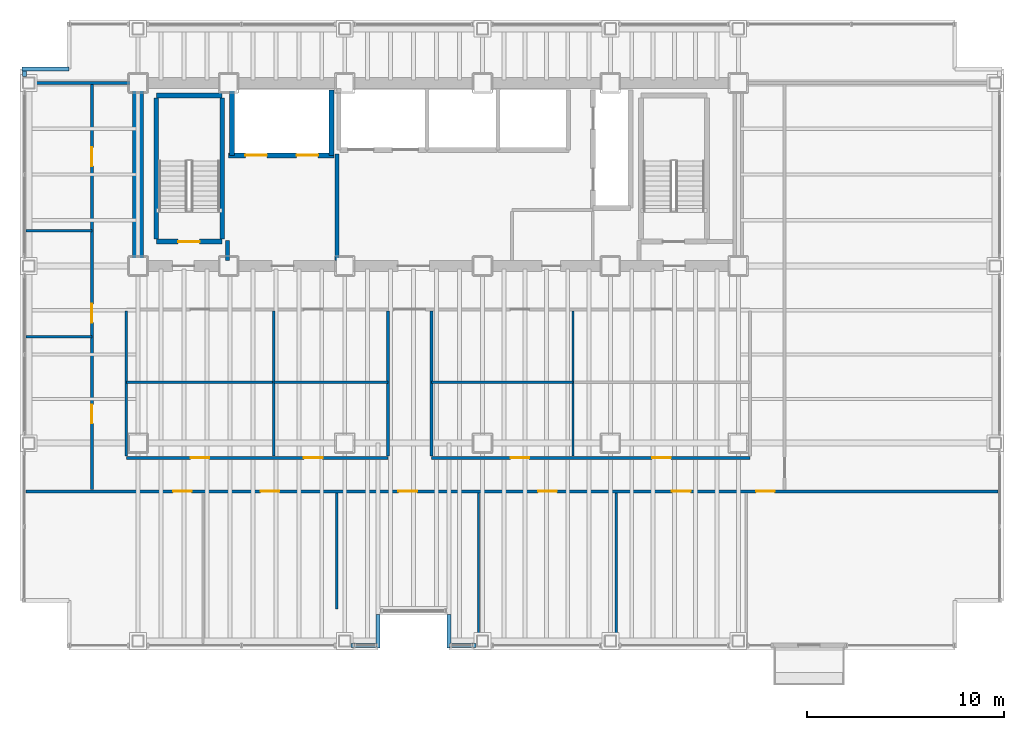
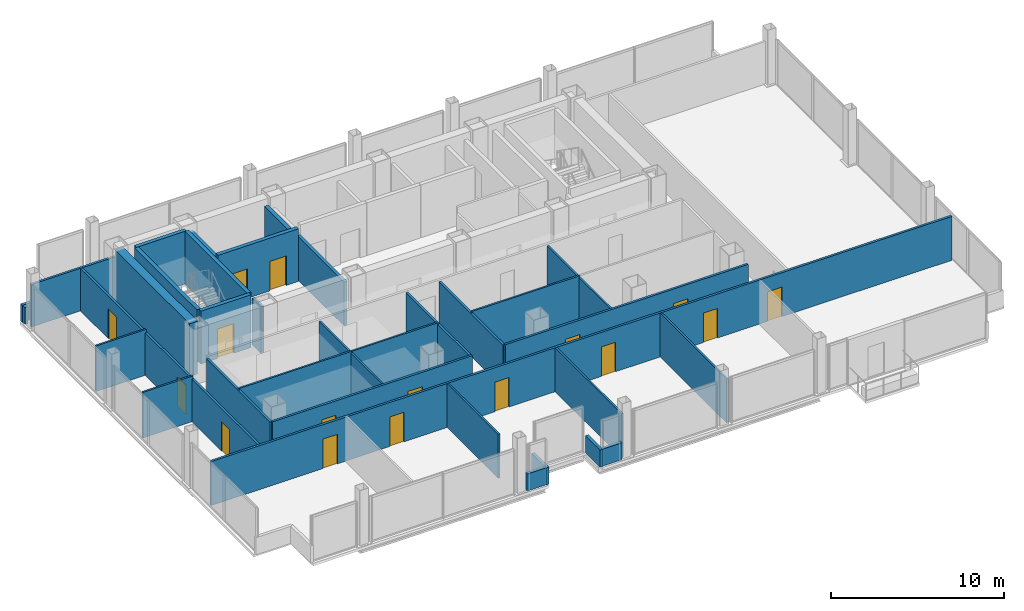
# One storey, part 18 of 22: 34 walls, 16 doors, 16 openings.
"""IFC4 building model written with IfcOpenShell, lengths in metres."""

from ifc_helpers import new_model, si_unit, direction, frame, frame_2d, origin, place, context, subcontext, project, spatial, rectangle, extrude, material, layer, layer_set, type_object, element, fill, save


model = new_model("IFC4")

# Units and contexts
model_context = context("Model", 3, precision=1e-05, world=origin(), true_north=direction((0.0, 1.0)))
body_context = subcontext(model_context, "Body", "Model", "MODEL_VIEW")
ifc_project = project(units=[si_unit("LENGTHUNIT", "METRE"), si_unit("AREAUNIT", "SQUARE_METRE"), si_unit("VOLUMEUNIT", "CUBIC_METRE"), si_unit("PLANEANGLEUNIT", "RADIAN"), si_unit("MASSUNIT", "GRAM", prefix="KILO")], contexts=[model_context])

# Site, building, storey
site_placement = place(None, origin())
site = spatial("IfcSite", under=ifc_project, at=site_placement, CompositionType="ELEMENT")
building_placement = place(site_placement, origin())
building = spatial("IfcBuilding", under=site, at=building_placement, Name="Noeulbin Bourse Tower", CompositionType="ELEMENT")
storey_placement = place(building_placement, frame((0.0, 0.0, 88.89990234375)))
storey = spatial("IfcBuildingStorey", under=building, at=storey_placement, Name="L22", CompositionType="ELEMENT", Elevation=88.89990234375)

# Walls
ifc_material_1 = material(Name="Concrete C60/75", Category="concrete")
ifc_layer_1 = layer(ifc_material_1, 0.550048828125)
ifc_layer_set_1 = layer_set([ifc_layer_1], Name="Concrete C60/75")
wall_type_1 = type_object("IfcWallType", Name="WAL-CORE-550", PredefinedType="SHEAR", material=ifc_layer_set_1)
wall_1_placement = place(storey_placement, frame((13.5, 29.35009765625, 0.0), z_axis=(0.0, 0.0, 1.0), x_axis=(0.0, 1.0, 0.0)))
element("IfcWall", 1, at=wall_1_placement, inside=storey, type_object=wall_type_1, Name="Rear Core West Shear Wall L22", PredefinedType="SHEAR", context=body_context, shape_type="SweptSolid", body=[
    extrude(rectangle(XDim=8.599853515625, YDim=0.550048828125, at=frame_2d((4.2998046875, 0.0))), origin(), (0.0, 0.0, 1.0), 3.72021484375),
])
ifc_material_2 = material(Name="Concrete C40/50", Category="concrete")
ifc_layer_2 = layer(ifc_material_2, 0.199951171875)
ifc_layer_set_2 = layer_set([ifc_layer_2], Name="Concrete C40/50")
wall_type_2 = type_object("IfcWallType", Name="WAL-FIRE-200", PredefinedType="STANDARD", material=ifc_layer_set_2)
wall_2_placement = place(storey_placement, frame((18.050048828125, 29.284912109375, 0.0), z_axis=(0.0, 0.0, 1.0), x_axis=(0.0, 1.0, 0.0)))
element("IfcWall", 2, at=wall_2_placement, inside=storey, type_object=wall_type_2, Name="Interior Partition Wall L22-15", PredefinedType="STANDARD", context=body_context, shape_type="SweptSolid", body=[
    extrude(rectangle(XDim=1.01513671875, YDim=0.199951171875, at=frame_2d((0.507568359375, 0.0))), origin(), (0.0, 0.0, 1.0), 3.300048828125),
])
wall_3_placement = place(storey_placement, frame((23.60009765625, 29.284912109375, 0.0), z_axis=(0.0, 0.0, 1.0), x_axis=(0.0, 1.0, 0.0)))
element("IfcWall", 3, at=wall_3_placement, inside=storey, type_object=wall_type_2, Name="Interior Partition Wall L22-17", PredefinedType="STANDARD", context=body_context, shape_type="SweptSolid", body=[
    extrude(rectangle(XDim=5.4150390625, YDim=0.199951171875, at=frame_2d((2.70751953125, 0.0))), origin(), (0.0, 0.0, 1.0), 3.10009765625),
])
ifc_layer_3 = layer(ifc_material_2, 0.199951171875)
ifc_layer_set_3 = layer_set([ifc_layer_3], Name="Concrete C40/50")
wall_type_3 = type_object("IfcWallType", Name="WAL-PAR-200", PredefinedType="PARAPET", material=ifc_layer_set_3)
wall_4_placement = place(storey_placement, frame((7.719970703125, 38.6201171875, 0.0), z_axis=(0.0, 0.0, 1.0), x_axis=(0.0, 1.0, 0.0)))
element("IfcWall", 4, at=wall_4_placement, inside=storey, type_object=wall_type_3, Name="Perimeter Pier Spandrel Parapet L22-W1", PredefinedType="PARAPET", context=body_context, shape_type="SweptSolid", body=[
    extrude(rectangle(XDim=0.27978515625, YDim=0.199951171875, at=frame_2d((0.139892578125, 0.0))), origin(), (0.0, 0.0, 1.0), 1.2001953125),
])
for number, where, z_axis, x_axis, name in (
    (5, (24.320068359375, 9.719970703125, 0.0), (0.0, 0.0, 1.0), (1.0, 0.0, 0.0), "Perimeter Pier Spandrel Parapet L22-S3"),
    (6, (29.35009765625, 9.719970703125, 0.0), (0.0, 0.0, 1.0), (1.0, 0.0, 0.0), "Perimeter Pier Spandrel Parapet L22-S4"),
):
    element("IfcWall", number, at=place(storey_placement, frame(where, z_axis=z_axis, x_axis=x_axis)), inside=storey, type_object=wall_type_3, Name=name, PredefinedType="PARAPET", context=body_context, shape_type="SweptSolid", body=[
        extrude(rectangle(XDim=1.329833984375, YDim=0.199951171875, at=frame_2d((0.6650390625, 0.0))), origin(), (0.0, 0.0, 1.0), 1.2001953125),
    ])
wall_5_placement = place(storey_placement, frame((7.60009765625, 39.0, 0.0), z_axis=(0.0, 0.0, 1.0), x_axis=(1.0, 0.0, 0.0)))
element("IfcWall", 7, at=wall_5_placement, inside=storey, type_object=wall_type_3, Name="Corner Notch Parapet L22-NW1", PredefinedType="PARAPET", context=body_context, shape_type="SweptSolid", body=[
    extrude(rectangle(XDim=2.39990234375, YDim=0.199951171875, at=frame_2d((1.199951171875, 0.0))), origin(), (0.0, 0.0, 1.0), 1.2001953125),
])
for number, where, z_axis, x_axis, name in (
    (8, (25.699951171875, 9.60009765625, 0.0), (0.0, 0.0, 1.0), (0.0, 1.0, 0.0), "Sky-Garden Recess Parapet L22-W"),
    (9, (29.300048828125, 11.300048828125, 0.0), (0.0, 0.0, 1.0), (0.0, -1.0, 0.0), "Sky-Garden Recess Parapet L22-E"),
):
    element("IfcWall", number, at=place(storey_placement, frame(where, z_axis=z_axis, x_axis=x_axis)), inside=storey, type_object=wall_type_3, Name=name, PredefinedType="PARAPET", context=body_context, shape_type="SweptSolid", body=[
        extrude(rectangle(XDim=1.699951171875, YDim=0.199951171875, at=frame_2d((0.85009765625, 0.0))), origin(), (0.0, 0.0, 1.0), 1.2001953125),
    ])
ifc_material_3 = material(Name="Steel Stud Gypsum Partition", Category="steel")
ifc_layer_4 = layer(ifc_material_3, 0.1201171875)
ifc_layer_set_4 = layer_set([ifc_layer_4], Name="Steel Stud Gypsum Partition")
wall_type_4 = type_object("IfcWallType", Name="WAL-PRT-120", PredefinedType="PARTITIONING", material=ifc_layer_set_4)
wall_6_placement = place(storey_placement, frame((12.89990234375, 23.10009765625, 0.0), z_axis=(0.0, 0.0, 1.0), x_axis=(1.0, 0.0, 0.0)))
element("IfcWall", 10, at=wall_6_placement, inside=storey, type_object=wall_type_4, Name="Interior Partition Wall L22-09", PredefinedType="PARTITIONING", context=body_context, shape_type="SweptSolid", body=[
    extrude(rectangle(XDim=7.5, YDim=0.1201171875, at=frame_2d((3.75, 0.0))), origin(), (0.0, 0.0, 1.0), 3.10009765625),
])
wall_7_placement = place(storey_placement, frame((20.39990234375, 23.10009765625, 0.0), z_axis=(0.0, 0.0, 1.0), x_axis=(1.0, 0.0, 0.0)))
element("IfcWall", 11, at=wall_7_placement, inside=storey, type_object=wall_type_4, Name="Interior Partition Wall L22-10", PredefinedType="PARTITIONING", context=body_context, shape_type="SweptSolid", body=[
    extrude(rectangle(XDim=5.800048828125, YDim=0.1201171875, at=frame_2d((2.89990234375, 0.0))), origin(), (0.0, 0.0, 1.0), 3.10009765625),
])
wall_8_placement = place(storey_placement, frame((28.39990234375, 23.10009765625, 0.0), z_axis=(0.0, 0.0, 1.0), x_axis=(1.0, 0.0, 0.0)))
element("IfcWall", 12, at=wall_8_placement, inside=storey, type_object=wall_type_4, Name="Interior Partition Wall L22-11", PredefinedType="PARTITIONING", context=body_context, shape_type="SweptSolid", body=[
    extrude(rectangle(XDim=7.2001953125, YDim=0.1201171875, at=frame_2d((3.60009765625, 0.0))), origin(), (0.0, 0.0, 1.0), 3.10009765625),
])
for number, where, z_axis, x_axis, name in (
    (13, (7.81005859375, 25.39990234375, 0.0), (0.0, 0.0, 1.0), (1.0, 0.0, 0.0), "Interior Partition Wall L22-13"),
    (14, (7.81005859375, 30.800048828125, 0.0), (0.0, 0.0, 1.0), (1.0, 0.0, 0.0), "Interior Partition Wall L22-14"),
):
    element("IfcWall", number, at=place(storey_placement, frame(where, z_axis=z_axis, x_axis=x_axis)), inside=storey, type_object=wall_type_4, Name=name, PredefinedType="PARTITIONING", context=body_context, shape_type="SweptSolid", body=[
        extrude(rectangle(XDim=3.33984375, YDim=0.1201171875, at=frame_2d((1.669921875, 0.0))), origin(), (0.0, 0.0, 1.0), 3.212158203125),
    ])
wall_9_placement = place(storey_placement, frame((23.60009765625, 11.570068359375, 0.0), z_axis=(0.0, 0.0, 1.0), x_axis=(0.0, 1.0, 0.0)))
element("IfcWall", 15, at=wall_9_placement, inside=storey, type_object=wall_type_4, Name="Interior Partition Wall L22-27", PredefinedType="PARTITIONING", context=body_context, shape_type="SweptSolid", body=[
    extrude(rectangle(XDim=5.89501953125, YDim=0.1201171875, at=frame_2d((2.947509765625, 0.0))), origin(), (0.0, 0.0, 1.0), 3.10009765625),
])
for number, where, z_axis, x_axis, name in (
    (16, (30.800048828125, 9.81005859375, 0.0), (0.0, 0.0, 1.0), (0.0, 1.0, 0.0), "Interior Partition Wall L22-28"),
    (17, (37.800048828125, 9.81005859375, 0.0), (0.0, 0.0, 1.0), (0.0, 1.0, 0.0), "Interior Partition Wall L22-29"),
):
    element("IfcWall", number, at=place(storey_placement, frame(where, z_axis=z_axis, x_axis=x_axis)), inside=storey, type_object=wall_type_4, Name=name, PredefinedType="PARTITIONING", context=body_context, shape_type="SweptSolid", body=[
        extrude(rectangle(XDim=7.655029296875, YDim=0.1201171875, at=frame_2d((3.82763671875, 0.0))), origin(), (0.0, 0.0, 1.0), 3.10009765625),
    ])
for number, where, z_axis, x_axis, name in (
    (18, (20.39990234375, 19.3349609375, 0.0), (0.0, 0.0, 1.0), (0.0, 1.0, 0.0), "Interior Partition Wall L22-31"),
    (19, (35.60009765625, 19.3349609375, 0.0), (0.0, 0.0, 1.0), (0.0, 1.0, 0.0), "Interior Partition Wall L22-32"),
):
    element("IfcWall", number, at=place(storey_placement, frame(where, z_axis=z_axis, x_axis=x_axis)), inside=storey, type_object=wall_type_4, Name=name, PredefinedType="PARTITIONING", context=body_context, shape_type="SweptSolid", body=[
        extrude(rectangle(XDim=7.380126953125, YDim=0.1201171875, at=frame_2d((3.68994140625, 0.0))), origin(), (0.0, 0.0, 1.0), 3.0),
    ])

# Wall, openings, doors
ifc_material_4 = material(Name="Steel Stud Acoustic Gypsum Board", Category="steel")
ifc_layer_5 = layer(ifc_material_4, 0.14990234375)
ifc_layer_set_5 = layer_set([ifc_layer_5], Name="Steel Stud Acoustic Gypsum Board")
wall_type_5 = type_object("IfcWallType", Name="WAL-PRT-150", PredefinedType="PARTITIONING", material=ifc_layer_set_5)
wall_10_placement = place(storey_placement, frame((7.81005859375, 17.550048828125, 0.0), z_axis=(0.0, 0.0, 1.0), x_axis=(1.0, 0.0, 0.0)))
wall_10 = element("IfcWall", 20, at=wall_10_placement, inside=storey, type_object=wall_type_5, Name="Interior Partition Wall L22-04", PredefinedType="PARTITIONING", context=body_context, shape_type="SweptSolid", body=[
    extrude(rectangle(XDim=49.3798828125, YDim=0.14990234375, at=frame_2d((24.68994140625, 0.0))), origin(), (0.0, 0.0, 1.0), 3.10009765625),
])
opening_1_placement = place(wall_10_placement, frame((7.465087890625, 0.0, 0.0)))
opening_1 = element("IfcOpeningElement", 21, at=opening_1_placement, cuts=wall_10, Name="Opening ID-09", PredefinedType="OPENING", context=body_context, shape_type="SweptSolid", body=[
    extrude(rectangle(XDim=0.949951171875, YDim=2.080078125, at=frame_2d((0.47509765625, 1.0400390625))), frame((0.0, 0.0849609375, 0.0), z_axis=(0.0, -1.0, 0.0), x_axis=(1.0, 0.0, 0.0)), (0.0, 0.0, 1.0), 0.169921875),
])
opening_2_placement = place(wall_10_placement, frame((11.9150390625, 0.0, 0.0)))
opening_2 = element("IfcOpeningElement", 22, at=opening_2_placement, cuts=wall_10, Name="Opening ID-09", PredefinedType="OPENING", context=body_context, shape_type="SweptSolid", body=[
    extrude(rectangle(XDim=0.949951171875, YDim=2.080078125, at=frame_2d((0.47509765625, 1.0400390625))), frame((0.0, 0.0849609375, 0.0), z_axis=(0.0, -1.0, 0.0), x_axis=(1.0, 0.0, 0.0)), (0.0, 0.0, 1.0), 0.169921875),
])
opening_3_placement = place(wall_10_placement, frame((18.9150390625, 0.0, 0.0)))
opening_3 = element("IfcOpeningElement", 23, at=opening_3_placement, cuts=wall_10, Name="Opening ID-09", PredefinedType="OPENING", context=body_context, shape_type="SweptSolid", body=[
    extrude(rectangle(XDim=0.949951171875, YDim=2.080078125, at=frame_2d((0.47509765625, 1.0400390625))), frame((0.0, 0.0849609375, 0.0), z_axis=(0.0, -1.0, 0.0), x_axis=(1.0, 0.0, 0.0)), (0.0, 0.0, 1.0), 0.169921875),
])
opening_4_placement = place(wall_10_placement, frame((26.014892578125, 0.0, 0.0)))
opening_4 = element("IfcOpeningElement", 24, at=opening_4_placement, cuts=wall_10, Name="Opening ID-09", PredefinedType="OPENING", context=body_context, shape_type="SweptSolid", body=[
    extrude(rectangle(XDim=0.949951171875, YDim=2.080078125, at=frame_2d((0.47509765625, 1.0400390625))), frame((0.0, 0.0849609375, 0.0), z_axis=(0.0, -1.0, 0.0), x_axis=(1.0, 0.0, 0.0)), (0.0, 0.0, 1.0), 0.169921875),
])
opening_5_placement = place(wall_10_placement, frame((32.81494140625, 0.0, 0.0)))
opening_5 = element("IfcOpeningElement", 25, at=opening_5_placement, cuts=wall_10, Name="Opening ID-09", PredefinedType="OPENING", context=body_context, shape_type="SweptSolid", body=[
    extrude(rectangle(XDim=0.949951171875, YDim=2.080078125, at=frame_2d((0.47509765625, 1.0400390625))), frame((0.0, 0.0849609375, 0.0), z_axis=(0.0, -1.0, 0.0), x_axis=(1.0, 0.0, 0.0)), (0.0, 0.0, 1.0), 0.169921875),
])
opening_6_placement = place(wall_10_placement, frame((37.090087890625, 0.0, 0.0)))
opening_6 = element("IfcOpeningElement", 26, at=opening_6_placement, cuts=wall_10, Name="Opening ID-09", PredefinedType="OPENING", context=body_context, shape_type="SweptSolid", body=[
    extrude(rectangle(XDim=0.949951171875, YDim=2.080078125, at=frame_2d((0.47509765625, 1.0400390625))), frame((0.0, 0.0849609375, 0.0), z_axis=(0.0, -1.0, 0.0), x_axis=(1.0, 0.0, 0.0)), (0.0, 0.0, 1.0), 0.169921875),
])
ifc_material_5 = material(Name="Acoustic Solid-Core Timber", Category="wood")
door_type_1 = type_object("IfcDoorType", Name="DR-SINGLE-950", OperationType="SINGLE_SWING_LEFT", PredefinedType="DOOR", material=ifc_material_5)
door_1_placement = place(opening_1_placement, origin())
door_1 = element("IfcDoor", 27, at=door_1_placement, inside=storey, type_object=door_type_1, Name="Interior Door L22-07", OperationType="SINGLE_SWING_LEFT", OverallHeight=2.080078125, OverallWidth=0.949951171875, PredefinedType="DOOR", context=body_context, shape_type="SweptSolid", body=[
    extrude(rectangle(XDim=0.949951171875, YDim=2.080078125, at=frame_2d((0.47509765625, 1.0400390625))), frame((0.0, 0.02490234375, 0.0), z_axis=(0.0, -1.0, 0.0), x_axis=(1.0, 0.0, 0.0)), (0.0, 0.0, 1.0), 0.050048828125),
])
fill(opening_1, door_1)
door_2_placement = place(opening_2_placement, origin())
door_2 = element("IfcDoor", 28, at=door_2_placement, inside=storey, type_object=door_type_1, Name="Interior Door L22-08", OperationType="SINGLE_SWING_RIGHT", OverallHeight=2.080078125, OverallWidth=0.949951171875, PredefinedType="DOOR", context=body_context, shape_type="SweptSolid", body=[
    extrude(rectangle(XDim=0.949951171875, YDim=2.080078125, at=frame_2d((0.47509765625, 1.0400390625))), frame((0.0, 0.02490234375, 0.0), z_axis=(0.0, -1.0, 0.0), x_axis=(1.0, 0.0, 0.0)), (0.0, 0.0, 1.0), 0.050048828125),
])
fill(opening_2, door_2)
door_3_placement = place(opening_3_placement, origin())
door_3 = element("IfcDoor", 29, at=door_3_placement, inside=storey, type_object=door_type_1, Name="Interior Door L22-09", OperationType="SINGLE_SWING_LEFT", OverallHeight=2.080078125, OverallWidth=0.949951171875, PredefinedType="DOOR", context=body_context, shape_type="SweptSolid", body=[
    extrude(rectangle(XDim=0.949951171875, YDim=2.080078125, at=frame_2d((0.47509765625, 1.0400390625))), frame((0.0, 0.02490234375, 0.0), z_axis=(0.0, -1.0, 0.0), x_axis=(1.0, 0.0, 0.0)), (0.0, 0.0, 1.0), 0.050048828125),
])
fill(opening_3, door_3)
door_4_placement = place(opening_4_placement, origin())
door_4 = element("IfcDoor", 30, at=door_4_placement, inside=storey, type_object=door_type_1, Name="Interior Door L22-10", OperationType="SINGLE_SWING_RIGHT", OverallHeight=2.080078125, OverallWidth=0.949951171875, PredefinedType="DOOR", context=body_context, shape_type="SweptSolid", body=[
    extrude(rectangle(XDim=0.949951171875, YDim=2.080078125, at=frame_2d((0.47509765625, 1.0400390625))), frame((0.0, 0.02490234375, 0.0), z_axis=(0.0, -1.0, 0.0), x_axis=(1.0, 0.0, 0.0)), (0.0, 0.0, 1.0), 0.050048828125),
])
fill(opening_4, door_4)
door_5_placement = place(opening_5_placement, origin())
door_5 = element("IfcDoor", 31, at=door_5_placement, inside=storey, type_object=door_type_1, Name="Interior Door L22-11", OperationType="SINGLE_SWING_LEFT", OverallHeight=2.080078125, OverallWidth=0.949951171875, PredefinedType="DOOR", context=body_context, shape_type="SweptSolid", body=[
    extrude(rectangle(XDim=0.949951171875, YDim=2.080078125, at=frame_2d((0.47509765625, 1.0400390625))), frame((0.0, 0.02490234375, 0.0), z_axis=(0.0, -1.0, 0.0), x_axis=(1.0, 0.0, 0.0)), (0.0, 0.0, 1.0), 0.050048828125),
])
fill(opening_5, door_5)
door_6_placement = place(opening_6_placement, origin())
door_6 = element("IfcDoor", 32, at=door_6_placement, inside=storey, type_object=door_type_1, Name="Interior Door L22-12", OperationType="SINGLE_SWING_RIGHT", OverallHeight=2.080078125, OverallWidth=0.949951171875, PredefinedType="DOOR", context=body_context, shape_type="SweptSolid", body=[
    extrude(rectangle(XDim=0.949951171875, YDim=2.080078125, at=frame_2d((0.47509765625, 1.0400390625))), frame((0.0, 0.02490234375, 0.0), z_axis=(0.0, -1.0, 0.0), x_axis=(1.0, 0.0, 0.0)), (0.0, 0.0, 1.0), 0.050048828125),
])
fill(opening_6, door_6)

wall_11_placement = place(storey_placement, frame((12.89990234375, 19.25, 0.0), z_axis=(0.0, 0.0, 1.0), x_axis=(1.0, 0.0, 0.0)))
wall_11 = element("IfcWall", 33, at=wall_11_placement, inside=storey, type_object=wall_type_5, Name="Interior Partition Wall L22-05", PredefinedType="PARTITIONING", context=body_context, shape_type="SweptSolid", body=[
    extrude(rectangle(XDim=13.300048828125, YDim=0.14990234375, at=frame_2d((6.64990234375, 0.0))), origin(), (0.0, 0.0, 1.0), 3.10009765625),
])
opening_7_placement = place(wall_11_placement, frame((3.27490234375, 0.0, 0.0)))
opening_7 = element("IfcOpeningElement", 34, at=opening_7_placement, cuts=wall_11, Name="Opening ID-09", PredefinedType="OPENING", context=body_context, shape_type="SweptSolid", body=[
    extrude(rectangle(XDim=0.949951171875, YDim=2.080078125, at=frame_2d((0.47509765625, 1.0400390625))), frame((0.0, 0.0849609375, 0.0), z_axis=(0.0, -1.0, 0.0), x_axis=(1.0, 0.0, 0.0)), (0.0, 0.0, 1.0), 0.169921875),
])
opening_8_placement = place(wall_11_placement, frame((9.02490234375, 0.0, 0.0)))
opening_8 = element("IfcOpeningElement", 35, at=opening_8_placement, cuts=wall_11, Name="Opening ID-09", PredefinedType="OPENING", context=body_context, shape_type="SweptSolid", body=[
    extrude(rectangle(XDim=0.949951171875, YDim=2.080078125, at=frame_2d((0.47509765625, 1.0400390625))), frame((0.0, 0.0849609375, 0.0), z_axis=(0.0, -1.0, 0.0), x_axis=(1.0, 0.0, 0.0)), (0.0, 0.0, 1.0), 0.169921875),
])
door_7_placement = place(opening_7_placement, origin())
door_7 = element("IfcDoor", 36, at=door_7_placement, inside=storey, type_object=door_type_1, Name="Interior Door L22-14", OperationType="SINGLE_SWING_RIGHT", OverallHeight=2.080078125, OverallWidth=0.949951171875, PredefinedType="DOOR", context=body_context, shape_type="SweptSolid", body=[
    extrude(rectangle(XDim=0.949951171875, YDim=2.080078125, at=frame_2d((0.47509765625, 1.0400390625))), frame((0.0, 0.02490234375, 0.0), z_axis=(0.0, -1.0, 0.0), x_axis=(1.0, 0.0, 0.0)), (0.0, 0.0, 1.0), 0.050048828125),
])
fill(opening_7, door_7)
door_8_placement = place(opening_8_placement, origin())
door_8 = element("IfcDoor", 37, at=door_8_placement, inside=storey, type_object=door_type_1, Name="Interior Door L22-16", OperationType="SINGLE_SWING_RIGHT", OverallHeight=2.080078125, OverallWidth=0.949951171875, PredefinedType="DOOR", context=body_context, shape_type="SweptSolid", body=[
    extrude(rectangle(XDim=0.949951171875, YDim=2.080078125, at=frame_2d((0.47509765625, 1.0400390625))), frame((0.0, 0.02490234375, 0.0), z_axis=(0.0, -1.0, 0.0), x_axis=(1.0, 0.0, 0.0)), (0.0, 0.0, 1.0), 0.050048828125),
])
fill(opening_8, door_8)

wall_12_placement = place(storey_placement, frame((28.39990234375, 19.25, 0.0), z_axis=(0.0, 0.0, 1.0), x_axis=(1.0, 0.0, 0.0)))
wall_12 = element("IfcWall", 38, at=wall_12_placement, inside=storey, type_object=wall_type_5, Name="Interior Partition Wall L22-06", PredefinedType="PARTITIONING", context=body_context, shape_type="SweptSolid", body=[
    extrude(rectangle(XDim=16.2001953125, YDim=0.14990234375, at=frame_2d((8.10009765625, 0.0))), origin(), (0.0, 0.0, 1.0), 3.10009765625),
])
opening_9_placement = place(wall_12_placement, frame((4.02490234375, 0.0, 0.0)))
opening_9 = element("IfcOpeningElement", 39, at=opening_9_placement, cuts=wall_12, Name="Opening ID-09", PredefinedType="OPENING", context=body_context, shape_type="SweptSolid", body=[
    extrude(rectangle(XDim=0.949951171875, YDim=2.080078125, at=frame_2d((0.47509765625, 1.0400390625))), frame((0.0, 0.0849609375, 0.0), z_axis=(0.0, -1.0, 0.0), x_axis=(1.0, 0.0, 0.0)), (0.0, 0.0, 1.0), 0.169921875),
])
opening_10_placement = place(wall_12_placement, frame((11.22509765625, 0.0, 0.0)))
opening_10 = element("IfcOpeningElement", 40, at=opening_10_placement, cuts=wall_12, Name="Opening ID-09", PredefinedType="OPENING", context=body_context, shape_type="SweptSolid", body=[
    extrude(rectangle(XDim=0.949951171875, YDim=2.080078125, at=frame_2d((0.47509765625, 1.0400390625))), frame((0.0, 0.0849609375, 0.0), z_axis=(0.0, -1.0, 0.0), x_axis=(1.0, 0.0, 0.0)), (0.0, 0.0, 1.0), 0.169921875),
])
door_9_placement = place(opening_9_placement, origin())
door_9 = element("IfcDoor", 41, at=door_9_placement, inside=storey, type_object=door_type_1, Name="Interior Door L22-18", OperationType="SINGLE_SWING_RIGHT", OverallHeight=2.080078125, OverallWidth=0.949951171875, PredefinedType="DOOR", context=body_context, shape_type="SweptSolid", body=[
    extrude(rectangle(XDim=0.949951171875, YDim=2.080078125, at=frame_2d((0.47509765625, 1.0400390625))), frame((0.0, 0.02490234375, 0.0), z_axis=(0.0, -1.0, 0.0), x_axis=(1.0, 0.0, 0.0)), (0.0, 0.0, 1.0), 0.050048828125),
])
fill(opening_9, door_9)
door_10_placement = place(opening_10_placement, origin())
door_10 = element("IfcDoor", 42, at=door_10_placement, inside=storey, type_object=door_type_1, Name="Interior Door L22-20", OperationType="SINGLE_SWING_RIGHT", OverallHeight=2.080078125, OverallWidth=0.949951171875, PredefinedType="DOOR", context=body_context, shape_type="SweptSolid", body=[
    extrude(rectangle(XDim=0.949951171875, YDim=2.080078125, at=frame_2d((0.47509765625, 1.0400390625))), frame((0.0, 0.02490234375, 0.0), z_axis=(0.0, -1.0, 0.0), x_axis=(1.0, 0.0, 0.0)), (0.0, 0.0, 1.0), 0.050048828125),
])
fill(opening_10, door_10)

# Walls
wall_13_placement = place(storey_placement, frame((7.81005859375, 38.300048828125, 0.0), z_axis=(0.0, 0.0, 1.0), x_axis=(1.0, 0.0, 0.0)))
element("IfcWall", 43, at=wall_13_placement, inside=storey, type_object=wall_type_5, Name="Interior Partition Wall L22-07", PredefinedType="PARTITIONING", context=body_context, shape_type="SweptSolid", body=[
    extrude(rectangle(XDim=5.68994140625, YDim=0.14990234375, at=frame_2d((2.844970703125, 0.0))), origin(), (0.0, 0.0, 1.0), 3.0),
])
for number, where, z_axis, x_axis, name in (
    (44, (26.199951171875, 19.3349609375, 0.0), (0.0, 0.0, 1.0), (0.0, 1.0, 0.0), "Interior Partition Wall L22-20"),
    (45, (28.39990234375, 19.3349609375, 0.0), (0.0, 0.0, 1.0), (0.0, 1.0, 0.0), "Interior Partition Wall L22-21"),
):
    element("IfcWall", number, at=place(storey_placement, frame(where, z_axis=z_axis, x_axis=x_axis)), inside=storey, type_object=wall_type_5, Name=name, PredefinedType="PARTITIONING", context=body_context, shape_type="SweptSolid", body=[
        extrude(rectangle(XDim=7.380126953125, YDim=0.14990234375, at=frame_2d((3.68994140625, 0.0))), origin(), (0.0, 0.0, 1.0), 3.0),
    ])

# Wall, openings, doors
wall_14_placement = place(storey_placement, frame((11.14990234375, 17.635009765625, 0.0), z_axis=(0.0, 0.0, 1.0), x_axis=(0.0, 1.0, 0.0)))
wall_14 = element("IfcWall", 46, at=wall_14_placement, inside=storey, type_object=wall_type_5, Name="Interior Partition Wall L22-22", PredefinedType="PARTITIONING", context=body_context, shape_type="SweptSolid", body=[
    extrude(rectangle(XDim=20.580078125, YDim=0.14990234375, at=frame_2d((10.2900390625, 0.0))), origin(), (0.0, 0.0, 1.0), 3.0),
])
opening_11_placement = place(wall_14_placement, frame((3.364990234375, 0.0, 0.0)))
opening_11 = element("IfcOpeningElement", 47, at=opening_11_placement, cuts=wall_14, Name="Opening ID-09", PredefinedType="OPENING", context=body_context, shape_type="SweptSolid", body=[
    extrude(rectangle(XDim=0.949951171875, YDim=2.080078125, at=frame_2d((0.47509765625, 1.0400390625))), frame((0.0, 0.0849609375, 0.0), z_axis=(0.0, -1.0, 0.0), x_axis=(1.0, 0.0, 0.0)), (0.0, 0.0, 1.0), 0.169921875),
])
opening_12_placement = place(wall_14_placement, frame((8.489990234375, 0.0, 0.0)))
opening_12 = element("IfcOpeningElement", 48, at=opening_12_placement, cuts=wall_14, Name="Opening ID-09", PredefinedType="OPENING", context=body_context, shape_type="SweptSolid", body=[
    extrude(rectangle(XDim=0.949951171875, YDim=2.080078125, at=frame_2d((0.47509765625, 1.0400390625))), frame((0.0, 0.0849609375, 0.0), z_axis=(0.0, -1.0, 0.0), x_axis=(1.0, 0.0, 0.0)), (0.0, 0.0, 1.0), 0.169921875),
])
opening_13_placement = place(wall_14_placement, frame((16.43994140625, 0.0, 0.0)))
opening_13 = element("IfcOpeningElement", 49, at=opening_13_placement, cuts=wall_14, Name="Opening ID-09", PredefinedType="OPENING", context=body_context, shape_type="SweptSolid", body=[
    extrude(rectangle(XDim=0.949951171875, YDim=2.080078125, at=frame_2d((0.47509765625, 1.0400390625))), frame((0.0, 0.0849609375, 0.0), z_axis=(0.0, -1.0, 0.0), x_axis=(1.0, 0.0, 0.0)), (0.0, 0.0, 1.0), 0.169921875),
])
door_11_placement = place(opening_11_placement, origin())
door_11 = element("IfcDoor", 50, at=door_11_placement, inside=storey, type_object=door_type_1, Name="Interior Door L22-21", OperationType="SINGLE_SWING_LEFT", OverallHeight=2.080078125, OverallWidth=0.949951171875, PredefinedType="DOOR", context=body_context, shape_type="SweptSolid", body=[
    extrude(rectangle(XDim=0.949951171875, YDim=2.080078125, at=frame_2d((0.47509765625, 1.0400390625))), frame((0.0, 0.02490234375, 0.0), z_axis=(0.0, -1.0, 0.0), x_axis=(1.0, 0.0, 0.0)), (0.0, 0.0, 1.0), 0.050048828125),
])
fill(opening_11, door_11)
door_12_placement = place(opening_12_placement, origin())
door_12 = element("IfcDoor", 51, at=door_12_placement, inside=storey, type_object=door_type_1, Name="Interior Door L22-22", OperationType="SINGLE_SWING_RIGHT", OverallHeight=2.080078125, OverallWidth=0.949951171875, PredefinedType="DOOR", context=body_context, shape_type="SweptSolid", body=[
    extrude(rectangle(XDim=0.949951171875, YDim=2.080078125, at=frame_2d((0.47509765625, 1.0400390625))), frame((0.0, 0.02490234375, 0.0), z_axis=(0.0, -1.0, 0.0), x_axis=(1.0, 0.0, 0.0)), (0.0, 0.0, 1.0), 0.050048828125),
])
fill(opening_12, door_12)
door_13_placement = place(opening_13_placement, origin())
door_13 = element("IfcDoor", 52, at=door_13_placement, inside=storey, type_object=door_type_1, Name="Interior Door L22-23", OperationType="SINGLE_SWING_LEFT", OverallHeight=2.080078125, OverallWidth=0.949951171875, PredefinedType="DOOR", context=body_context, shape_type="SweptSolid", body=[
    extrude(rectangle(XDim=0.949951171875, YDim=2.080078125, at=frame_2d((0.47509765625, 1.0400390625))), frame((0.0, 0.02490234375, 0.0), z_axis=(0.0, -1.0, 0.0), x_axis=(1.0, 0.0, 0.0)), (0.0, 0.0, 1.0), 0.050048828125),
])
fill(opening_13, door_13)

# Wall
wall_15_placement = place(storey_placement, frame((12.89990234375, 19.3349609375, 0.0), z_axis=(0.0, 0.0, 1.0), x_axis=(0.0, 1.0, 0.0)))
element("IfcWall", 53, at=wall_15_placement, inside=storey, type_object=wall_type_5, Name="Interior Partition Wall L22-23", PredefinedType="PARTITIONING", context=body_context, shape_type="SweptSolid", body=[
    extrude(rectangle(XDim=7.380126953125, YDim=0.14990234375, at=frame_2d((3.68994140625, 0.0))), origin(), (0.0, 0.0, 1.0), 3.0),
])

# Wall, opening, door
ifc_layer_6 = layer(ifc_material_2, 0.25)
ifc_layer_set_6 = layer_set([ifc_layer_6], Name="Concrete C40/50")
wall_type_6 = type_object("IfcWallType", Name="WAL-SHFT-250", PredefinedType="STANDARD", material=ifc_layer_set_6)
wall_16_placement = place(storey_placement, frame((14.429931640625, 30.235107421875, 0.0), z_axis=(0.0, 0.0, 1.0), x_axis=(1.0, 0.0, 0.0)))
wall_16 = element("IfcWall", 54, at=wall_16_placement, inside=storey, type_object=wall_type_6, Name="Stair ST-1 South Shaft Wall L22", PredefinedType="STANDARD", context=body_context, shape_type="SweptSolid", body=[
    extrude(rectangle(XDim=3.340087890625, YDim=0.25, at=frame_2d((1.669921875, 0.0))), origin(), (0.0, 0.0, 1.0), 3.72021484375),
])
opening_14_placement = place(wall_16_placement, frame((1.10009765625, 0.0, 0.0)))
opening_14 = element("IfcOpeningElement", 55, at=opening_14_placement, cuts=wall_16, Name="Opening FD-11", PredefinedType="OPENING", context=body_context, shape_type="SweptSolid", body=[
    extrude(rectangle(XDim=1.10009765625, YDim=2.080078125, at=frame_2d((0.550048828125, 1.0400390625))), frame((0.0, 0.135009765625, 0.0), z_axis=(0.0, -1.0, 0.0), x_axis=(1.0, 0.0, 0.0)), (0.0, 0.0, 1.0), 0.27001953125),
])
ifc_material_6 = material(Name="Fire-Rated Insulated Steel", Category="steel")
door_type_2 = type_object("IfcDoorType", Name="DR-FD60-1100", OperationType="SINGLE_SWING_LEFT", PredefinedType="DOOR", material=ifc_material_6)
door_14_placement = place(opening_14_placement, origin())
door_14 = element("IfcDoor", 56, at=door_14_placement, inside=storey, type_object=door_type_2, Name="Protected Stair Entry Door ST1-L22", OperationType="SINGLE_SWING_LEFT", OverallHeight=2.080078125, OverallWidth=1.10009765625, PredefinedType="DOOR", context=body_context, shape_type="SweptSolid", body=[
    extrude(rectangle(XDim=1.10009765625, YDim=2.080078125, at=frame_2d((0.550048828125, 1.0400390625))), frame((0.0, 0.02490234375, 0.0), z_axis=(0.0, -1.0, 0.0), x_axis=(1.0, 0.0, 0.0)), (0.0, 0.0, 1.0), 0.050048828125),
])
fill(opening_14, door_14)

# Walls
wall_17_placement = place(storey_placement, frame((14.429931640625, 37.6689453125, 0.0), z_axis=(0.0, 0.0, 1.0), x_axis=(1.0, 0.0, 0.0)))
element("IfcWall", 57, at=wall_17_placement, inside=storey, type_object=wall_type_6, Name="Stair ST-1 North Shaft Wall L22", PredefinedType="STANDARD", context=body_context, shape_type="SweptSolid", body=[
    extrude(rectangle(XDim=3.340087890625, YDim=0.25, at=frame_2d((1.669921875, 0.0))), origin(), (0.0, 0.0, 1.0), 3.72021484375),
])
for number, where, z_axis, x_axis, name in (
    (58, (14.425048828125, 30.360107421875, 0.0), (0.0, 0.0, 1.0), (0.0, 1.0, 0.0), "Stair ST-1 West Shaft Wall L22"),
    (59, (17.77490234375, 30.360107421875, 0.0), (0.0, 0.0, 1.0), (0.0, 1.0, 0.0), "Stair ST-1 East Shaft Wall L22"),
):
    element("IfcWall", number, at=place(storey_placement, frame(where, z_axis=z_axis, x_axis=x_axis)), inside=storey, type_object=wall_type_6, Name=name, PredefinedType="STANDARD", context=body_context, shape_type="SweptSolid", body=[
        extrude(rectangle(XDim=7.183837890625, YDim=0.25, at=frame_2d((3.591796875, 0.0))), origin(), (0.0, 0.0, 1.0), 3.72021484375),
    ])

# Wall, openings, doors
wall_18_placement = place(storey_placement, frame((18.10009765625, 34.6201171875, 0.0), z_axis=(0.0, 0.0, 1.0), x_axis=(1.0, 0.0, 0.0)))
wall_18 = element("IfcWall", 60, at=wall_18_placement, inside=storey, type_object=wall_type_6, Name="Firefighting Lift Shaft Front L22", PredefinedType="STANDARD", context=body_context, shape_type="SweptSolid", body=[
    extrude(rectangle(XDim=5.349853515625, YDim=0.25, at=frame_2d((2.6748046875, 0.0))), origin(), (0.0, 0.0, 1.0), 3.72021484375),
])
opening_15_placement = place(wall_18_placement, frame((0.85009765625, 0.0, 0.0)))
opening_15 = element("IfcOpeningElement", 61, at=opening_15_placement, cuts=wall_18, Name="Opening LD-11", PredefinedType="OPENING", context=body_context, shape_type="SweptSolid", body=[
    extrude(rectangle(XDim=1.10009765625, YDim=2.080078125, at=frame_2d((0.550048828125, 1.0400390625))), frame((0.0, 0.135009765625, 0.0), z_axis=(0.0, -1.0, 0.0), x_axis=(1.0, 0.0, 0.0)), (0.0, 0.0, 1.0), 0.27001953125),
])
opening_16_placement = place(wall_18_placement, frame((3.449951171875, 0.0, 0.0)))
opening_16 = element("IfcOpeningElement", 62, at=opening_16_placement, cuts=wall_18, Name="Opening LD-11", PredefinedType="OPENING", context=body_context, shape_type="SweptSolid", body=[
    extrude(rectangle(XDim=1.10009765625, YDim=2.080078125, at=frame_2d((0.550048828125, 1.0400390625))), frame((0.0, 0.135009765625, 0.0), z_axis=(0.0, -1.0, 0.0), x_axis=(1.0, 0.0, 0.0)), (0.0, 0.0, 1.0), 0.27001953125),
])
ifc_material_7 = material(Name="Brushed Stainless Steel 316", Category="steel")
door_type_3 = type_object("IfcDoorType", Name="DR-LIFT-1100", OperationType="SLIDING_TO_LEFT", PredefinedType="DOOR", material=ifc_material_7)
door_15_placement = place(opening_15_placement, origin())
door_15 = element("IfcDoor", 63, at=door_15_placement, inside=storey, type_object=door_type_3, Name="Lift Landing Door LD-FL-01-L22", OperationType="SLIDING_TO_LEFT", OverallHeight=2.080078125, OverallWidth=1.10009765625, PredefinedType="DOOR", context=body_context, shape_type="SweptSolid", body=[
    extrude(rectangle(XDim=1.10009765625, YDim=2.080078125, at=frame_2d((0.550048828125, 1.0400390625))), frame((0.0, 0.02490234375, 0.0), z_axis=(0.0, -1.0, 0.0), x_axis=(1.0, 0.0, 0.0)), (0.0, 0.0, 1.0), 0.050048828125),
])
fill(opening_15, door_15)
door_16_placement = place(opening_16_placement, origin())
door_16 = element("IfcDoor", 64, at=door_16_placement, inside=storey, type_object=door_type_3, Name="Lift Landing Door LD-FL-02-L22", OperationType="SLIDING_TO_LEFT", OverallHeight=2.080078125, OverallWidth=1.10009765625, PredefinedType="DOOR", context=body_context, shape_type="SweptSolid", body=[
    extrude(rectangle(XDim=1.10009765625, YDim=2.080078125, at=frame_2d((0.550048828125, 1.0400390625))), frame((0.0, 0.02490234375, 0.0), z_axis=(0.0, -1.0, 0.0), x_axis=(1.0, 0.0, 0.0)), (0.0, 0.0, 1.0), 0.050048828125),
])
fill(opening_16, door_16)

# Walls
for number, where, z_axis, x_axis, name in (
    (65, (18.280029296875, 34.6201171875, 0.0), (0.0, 0.0, 1.0), (0.0, 1.0, 0.0), "Firefighting Lift West Shaft Wall L22"),
    (66, (23.320068359375, 34.6201171875, 0.0), (0.0, 0.0, 1.0), (0.0, 1.0, 0.0), "Firefighting Lift East Shaft Wall L22"),
):
    element("IfcWall", number, at=place(storey_placement, frame(where, z_axis=z_axis, x_axis=x_axis)), inside=storey, type_object=wall_type_6, Name=name, PredefinedType="STANDARD", context=body_context, shape_type="SweptSolid", body=[
        extrude(rectangle(XDim=3.329833984375, YDim=0.25, at=frame_2d((1.6650390625, 0.0))), origin(), (0.0, 0.0, 1.0), 3.300048828125),
    ])

save(model, "model.ifc")
